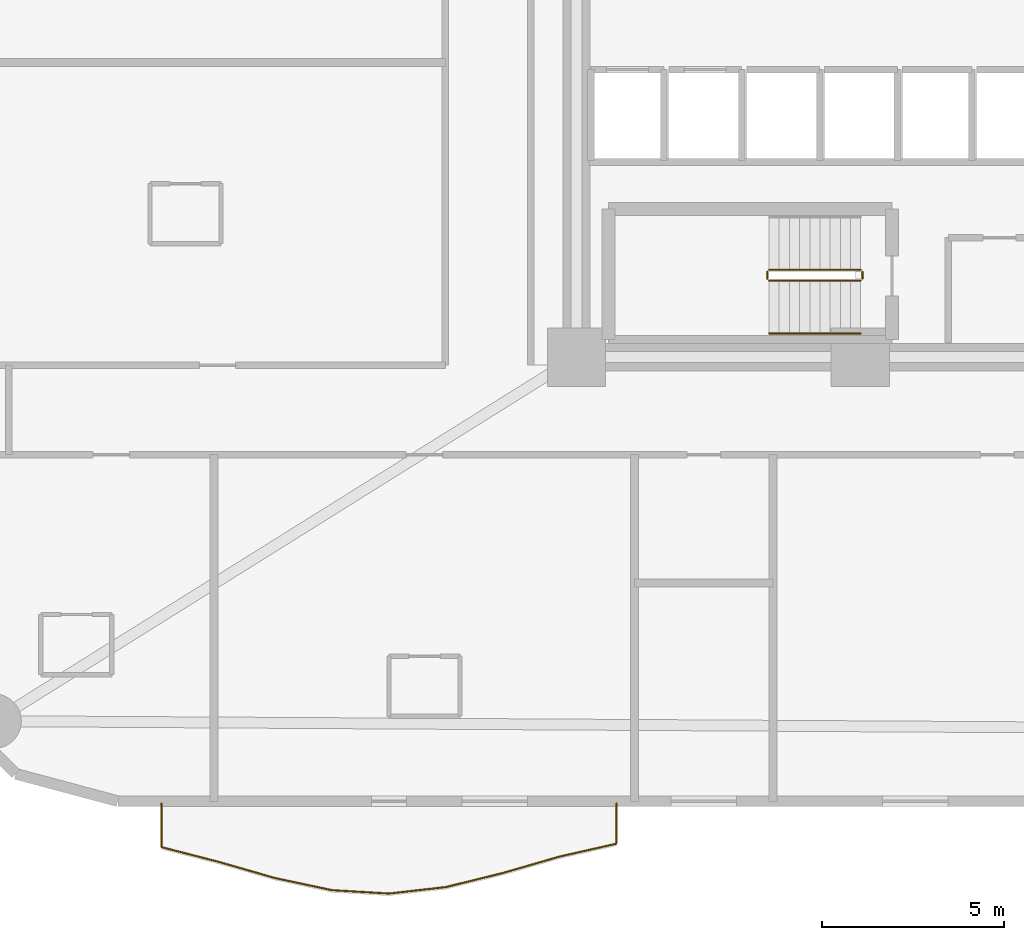
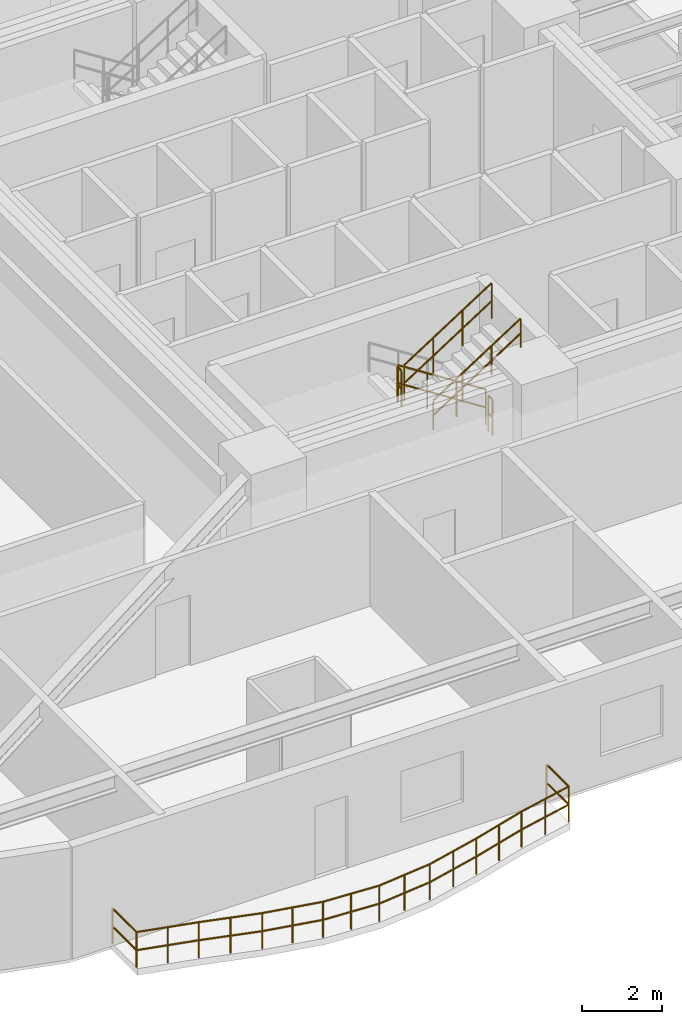
# One storey, part 14 of 16: 6 railings.
"""IFC4 building model written with IfcOpenShell, lengths in metres."""

from ifc_helpers import new_model, si_unit, direction, frame, origin, origin_2d, place, context, subcontext, project, spatial, circle, extrude, material, type_object, element, save


model = new_model("IFC4")

# Units and contexts
model_context = context("Model", 3, precision=1e-05, world=origin(), true_north=direction((0.0, 1.0)))
body_context = subcontext(model_context, "Body", "Model", "MODEL_VIEW")
ifc_project = project(units=[si_unit("LENGTHUNIT", "METRE"), si_unit("AREAUNIT", "SQUARE_METRE"), si_unit("VOLUMEUNIT", "CUBIC_METRE"), si_unit("PLANEANGLEUNIT", "RADIAN"), si_unit("MASSUNIT", "GRAM", prefix="KILO")], contexts=[model_context])

# Site, building, storey
site_placement = place(None, origin())
site = spatial("IfcSite", under=ifc_project, at=site_placement, CompositionType="ELEMENT")
building_placement = place(site_placement, origin())
building = spatial("IfcBuilding", under=site, at=building_placement, Name="An Khanh Terracotta Commons", CompositionType="ELEMENT")
storey_placement = place(building_placement, frame((0.0, 0.0, 28.800048828125)))
storey = spatial("IfcBuildingStorey", under=building, at=storey_placement, Name="L07", CompositionType="ELEMENT", Elevation=28.800048828125)

# Railings
ifc_material_1 = material(Name="Brushed Stainless Steel 316", Category="steel")
railing_type_1 = type_object("IfcRailingType", Name="RAIL-BALUSTRADE-1100", PredefinedType="BALUSTRADE", material=ifc_material_1)
railing_1_placement = place(storey_placement, frame((10.199951171875, 2.139892578125, 0.0)))
element("IfcRailing", 1, at=railing_1_placement, inside=storey, type_object=railing_type_1, Name="L07 S Wave Balcony Guard Balustrade", PredefinedType="BALUSTRADE", context=body_context, shape_type="SweptSolid", body=[
    extrude(circle(Radius=0.02392578125, at=origin_2d()), frame((0.0, 0.0, 1.076171875), z_axis=(0.0, -1.0, 0.0), x_axis=(1.0, 0.0, 0.0)), (0.0, 0.0, 1.0), 1.199951171875),
    extrude(circle(Radius=0.02392578125, at=origin_2d()), frame((0.0, 0.0, 0.52587890625), z_axis=(0.0, -1.0, 0.0), x_axis=(1.0, 0.0, 0.0)), (0.0, 0.0, 1.0), 1.199951171875),
    extrude(circle(Radius=0.02392578125, at=origin_2d()), frame((0.0, -1.199951171875, 1.076171875), z_axis=(0.968463718295, -0.249154623369, 0.0), x_axis=(0.249154623369, 0.968463718295, 0.0)), (0.0, 0.0, 1.0), 1.61279296875),
    extrude(circle(Radius=0.02392578125, at=origin_2d()), frame((0.0, -1.199951171875, 0.52587890625), z_axis=(0.968463718295, -0.249154623369, 0.0), x_axis=(0.249154623369, 0.968463718295, 0.0)), (0.0, 0.0, 1.0), 1.61279296875),
    extrude(circle(Radius=0.02392578125, at=origin_2d()), frame((1.56201171875, -1.601806640625, 1.076171875), z_axis=(0.961132069799, -0.276089015364, 0.0), x_axis=(0.276089015364, 0.961132069799, 0.0)), (0.0, 0.0, 1.0), 1.626220703125),
    extrude(circle(Radius=0.02392578125, at=origin_2d()), frame((1.56201171875, -1.601806640625, 0.52587890625), z_axis=(0.961132069799, -0.276089015364, 0.0), x_axis=(0.276089015364, 0.961132069799, 0.0)), (0.0, 0.0, 1.0), 1.626220703125),
    extrude(circle(Radius=0.02392578125, at=origin_2d()), frame((3.125, -2.05078125, 1.076171875), z_axis=(0.978145638239, -0.207920923414, 0.0), x_axis=(0.207920923414, 0.978145638239, 0.0)), (0.0, 0.0, 1.0), 1.596923828125),
    extrude(circle(Radius=0.02392578125, at=origin_2d()), frame((3.125, -2.05078125, 0.52587890625), z_axis=(0.978145638239, -0.207920923414, 0.0), x_axis=(0.207920923414, 0.978145638239, 0.0)), (0.0, 0.0, 1.0), 1.596923828125),
    extrude(circle(Radius=0.02392578125, at=origin_2d()), frame((4.68701171875, -2.3828125, 1.076171875), z_axis=(0.99823381228, -0.059407541781, 0.0), x_axis=(0.059407541781, 0.99823381228, 0.0)), (0.0, 0.0, 1.0), 1.565673828125),
    extrude(circle(Radius=0.02392578125, at=origin_2d()), frame((4.68701171875, -2.3828125, 0.52587890625), z_axis=(0.99823381228, -0.059407541781, 0.0), x_axis=(0.059407541781, 0.99823381228, 0.0)), (0.0, 0.0, 1.0), 1.565673828125),
    extrude(circle(Radius=0.02392578125, at=origin_2d()), frame((6.25, -2.475830078125, 1.076171875), z_axis=(0.993571157369, 0.113209342564, 0.0), x_axis=(-0.113209342564, 0.993571157369, 0.0)), (0.0, 0.0, 1.0), 1.572021484375),
    extrude(circle(Radius=0.02392578125, at=origin_2d()), frame((6.25, -2.475830078125, 0.52587890625), z_axis=(0.993571157369, 0.113209342564, 0.0), x_axis=(-0.113209342564, 0.993571157369, 0.0)), (0.0, 0.0, 1.0), 1.572021484375),
    extrude(circle(Radius=0.02392578125, at=origin_2d()), frame((7.81201171875, -2.2978515625, 1.076171875), z_axis=(0.9708342931, 0.239751486628, 0.0), x_axis=(-0.239751486628, 0.9708342931, 0.0)), (0.0, 0.0, 1.0), 1.60986328125),
    extrude(circle(Radius=0.02392578125, at=origin_2d()), frame((7.81201171875, -2.2978515625, 0.52587890625), z_axis=(0.9708342931, 0.239751486628, 0.0), x_axis=(-0.239751486628, 0.9708342931, 0.0)), (0.0, 0.0, 1.0), 1.60986328125),
    extrude(circle(Radius=0.02392578125, at=origin_2d()), frame((9.375, -1.911865234375, 1.076171875), z_axis=(0.960606465703, 0.27791224883, 0.0), x_axis=(-0.27791224883, 0.960606465703, 0.0)), (0.0, 0.0, 1.0), 1.6259765625),
    extrude(circle(Radius=0.02392578125, at=origin_2d()), frame((9.375, -1.911865234375, 0.52587890625), z_axis=(0.960606465703, 0.27791224883, 0.0), x_axis=(-0.27791224883, 0.960606465703, 0.0)), (0.0, 0.0, 1.0), 1.6259765625),
    extrude(circle(Radius=0.02392578125, at=origin_2d()), frame((10.93701171875, -1.4599609375, 1.076171875), z_axis=(0.975297200587, 0.220896741776, 0.0), x_axis=(-0.220896741776, 0.975297200587, 0.0)), (0.0, 0.0, 1.0), 1.6025390625),
    extrude(circle(Radius=0.02392578125, at=origin_2d()), frame((10.93701171875, -1.4599609375, 0.52587890625), z_axis=(0.975297200587, 0.220896741776, 0.0), x_axis=(-0.220896741776, 0.975297200587, 0.0)), (0.0, 0.0, 1.0), 1.6025390625),
    extrude(circle(Radius=0.02392578125, at=origin_2d()), frame((12.5, -1.10595703125, 1.076171875), z_axis=(0.0, 1.0, 0.0), x_axis=(-1.0, 0.0, 0.0)), (0.0, 0.0, 1.0), 1.10595703125),
    extrude(circle(Radius=0.02392578125, at=origin_2d()), frame((12.5, -1.10595703125, 0.52587890625), z_axis=(0.0, 1.0, 0.0), x_axis=(-1.0, 0.0, 0.0)), (0.0, 0.0, 1.0), 1.10595703125),
    extrude(circle(Radius=0.02099609375, at=origin_2d()), origin(), (0.0, 0.0, 1.0), 1.052001953125),
    extrude(circle(Radius=0.02099609375, at=origin_2d()), frame((0.0, -1.199951171875, 0.0)), (0.0, 0.0, 1.0), 1.052001953125),
    extrude(circle(Radius=0.02099609375, at=origin_2d()), frame((0.781005859375, -1.40087890625, 0.0)), (0.0, 0.0, 1.0), 1.052001953125),
    extrude(circle(Radius=0.02099609375, at=origin_2d()), frame((1.56201171875, -1.601806640625, 0.0)), (0.0, 0.0, 1.0), 1.052001953125),
    extrude(circle(Radius=0.02099609375, at=origin_2d()), frame((2.343505859375, -1.826171875, 0.0)), (0.0, 0.0, 1.0), 1.052001953125),
    extrude(circle(Radius=0.02099609375, at=origin_2d()), frame((3.125, -2.05078125, 0.0)), (0.0, 0.0, 1.0), 1.052001953125),
    extrude(circle(Radius=0.02099609375, at=origin_2d()), frame((3.906005859375, -2.216796875, 0.0)), (0.0, 0.0, 1.0), 1.052001953125),
    extrude(circle(Radius=0.02099609375, at=origin_2d()), frame((4.68701171875, -2.3828125, 0.0)), (0.0, 0.0, 1.0), 1.052001953125),
    extrude(circle(Radius=0.02099609375, at=origin_2d()), frame((5.468505859375, -2.42919921875, 0.0)), (0.0, 0.0, 1.0), 1.052001953125),
    extrude(circle(Radius=0.02099609375, at=origin_2d()), frame((6.25, -2.475830078125, 0.0)), (0.0, 0.0, 1.0), 1.052001953125),
    extrude(circle(Radius=0.02099609375, at=origin_2d()), frame((7.031005859375, -2.38671875, 0.0)), (0.0, 0.0, 1.0), 1.052001953125),
    extrude(circle(Radius=0.02099609375, at=origin_2d()), frame((7.81201171875, -2.2978515625, 0.0)), (0.0, 0.0, 1.0), 1.052001953125),
    extrude(circle(Radius=0.02099609375, at=origin_2d()), frame((8.593505859375, -2.10498046875, 0.0)), (0.0, 0.0, 1.0), 1.052001953125),
    extrude(circle(Radius=0.02099609375, at=origin_2d()), frame((9.375, -1.911865234375, 0.0)), (0.0, 0.0, 1.0), 1.052001953125),
    extrude(circle(Radius=0.02099609375, at=origin_2d()), frame((10.156005859375, -1.68603515625, 0.0)), (0.0, 0.0, 1.0), 1.052001953125),
    extrude(circle(Radius=0.02099609375, at=origin_2d()), frame((10.93701171875, -1.4599609375, 0.0)), (0.0, 0.0, 1.0), 1.052001953125),
    extrude(circle(Radius=0.02099609375, at=origin_2d()), frame((11.718505859375, -1.282958984375, 0.0)), (0.0, 0.0, 1.0), 1.052001953125),
    extrude(circle(Radius=0.02099609375, at=origin_2d()), frame((12.5, -1.10595703125, 0.0)), (0.0, 0.0, 1.0), 1.052001953125),
    extrude(circle(Radius=0.02099609375, at=origin_2d()), frame((12.5, 0.0, 0.0)), (0.0, 0.0, 1.0), 1.052001953125),
])
railing_type_2 = type_object("IfcRailingType", Name="RAIL-HANDRAIL-900", PredefinedType="HANDRAIL", material=ifc_material_1)
railing_2_placement = place(storey_placement, frame((26.889892578125, 15.050048828125, 1.97998046875)))
element("IfcRailing", 2, at=railing_2_placement, inside=storey, type_object=railing_type_2, Name="L07 ST-02 stair handrail 2", PredefinedType="HANDRAIL", context=body_context, shape_type="SweptSolid", body=[
    extrude(circle(Radius=0.02392578125, at=origin_2d()), frame((0.0, 0.0, 0.8759765625), z_axis=(0.841199657755, 0.0, 0.540724639528), x_axis=(0.0, 1.0, 0.0)), (0.0, 0.0, 1.0), 2.995849609375),
    extrude(circle(Radius=0.02392578125, at=origin_2d()), frame((0.0, 0.0, 0.42578125), z_axis=(0.841199657755, 0.0, 0.540724639528), x_axis=(0.0, 1.0, 0.0)), (0.0, 0.0, 1.0), 2.995849609375),
    extrude(circle(Radius=0.02099609375, at=origin_2d()), origin(), (0.0, 0.0, 1.0), 0.851806640625),
    extrude(circle(Radius=0.02099609375, at=origin_2d()), frame((0.840087890625, 0.0, 0.5400390625)), (0.0, 0.0, 1.0), 0.851806640625),
    extrude(circle(Radius=0.02099609375, at=origin_2d()), frame((1.679931640625, 0.0, 1.079833984375)), (0.0, 0.0, 1.0), 0.851806640625),
    extrude(circle(Radius=0.02099609375, at=origin_2d()), frame((2.52001953125, 0.0, 1.619873046875)), (0.0, 0.0, 1.0), 0.851806640625),
])
ifc_material_2 = material(Name="Powder-Coated Steel S355J2", Category="steel")
railing_type_3 = type_object("IfcRailingType", Name="RAIL-STAIR-GUARD-1100", PredefinedType="BALUSTRADE", material=ifc_material_2)
railing_3_placement = place(storey_placement, frame((29.409912109375, 16.800048828125, 0.179931640625)))
element("IfcRailing", 3, at=railing_3_placement, inside=storey, type_object=railing_type_3, Name="L07 ST-02 stair guard 1", PredefinedType="BALUSTRADE", context=body_context, shape_type="SweptSolid", body=[
    extrude(circle(Radius=0.02392578125, at=origin_2d()), frame((0.0, 0.0, 1.076171875), z_axis=(-0.841162588446, 0.0, 0.540782303519), x_axis=(0.0, -1.0, 0.0)), (0.0, 0.0, 1.0), 2.995849609375),
    extrude(circle(Radius=0.02392578125, at=origin_2d()), frame((0.0, 0.0, 0.52587890625), z_axis=(-0.841162588446, 0.0, 0.540782303519), x_axis=(0.0, -1.0, 0.0)), (0.0, 0.0, 1.0), 2.995849609375),
    extrude(circle(Radius=0.02099609375, at=origin_2d()), origin(), (0.0, 0.0, 1.0), 1.052001953125),
    extrude(circle(Radius=0.02099609375, at=origin_2d()), frame((-0.840087890625, 0.0, 0.5400390625)), (0.0, 0.0, 1.0), 1.052001953125),
    extrude(circle(Radius=0.02099609375, at=origin_2d()), frame((-1.679931640625, 0.0, 1.080078125)), (0.0, 0.0, 1.0), 1.052001953125),
    extrude(circle(Radius=0.02099609375, at=origin_2d()), frame((-2.52001953125, 0.0, 1.6201171875)), (0.0, 0.0, 1.0), 1.052001953125),
])
railing_4_placement = place(storey_placement, frame((26.840087890625, 16.75, 1.800048828125)))
element("IfcRailing", 4, at=railing_4_placement, inside=storey, type_object=railing_type_3, Name="L07 ST-02 stair guard 2", PredefinedType="BALUSTRADE", context=body_context, shape_type="SweptSolid", body=[
    extrude(circle(Radius=0.02392578125, at=origin_2d()), frame((0.0, 0.0, 1.076171875), z_axis=(0.0, -1.0, 0.0), x_axis=(1.0, 0.0, 0.0)), (0.0, 0.0, 1.0), 0.199951171875),
    extrude(circle(Radius=0.02392578125, at=origin_2d()), frame((0.0, 0.0, 0.52587890625), z_axis=(0.0, -1.0, 0.0), x_axis=(1.0, 0.0, 0.0)), (0.0, 0.0, 1.0), 0.199951171875),
    extrude(circle(Radius=0.02099609375, at=origin_2d()), origin(), (0.0, 0.0, 1.0), 1.052001953125),
    extrude(circle(Radius=0.02099609375, at=origin_2d()), frame((0.0, -0.199951171875, 0.0)), (0.0, 0.0, 1.0), 1.052001953125),
])
railing_5_placement = place(storey_placement, frame((26.889892578125, 16.5, 1.97998046875)))
element("IfcRailing", 5, at=railing_5_placement, inside=storey, type_object=railing_type_3, Name="L07 ST-02 stair guard 3", PredefinedType="BALUSTRADE", context=body_context, shape_type="SweptSolid", body=[
    extrude(circle(Radius=0.02392578125, at=origin_2d()), frame((0.0, 0.0, 1.076171875), z_axis=(0.841199657755, 0.0, 0.540724639528), x_axis=(0.0, 1.0, 0.0)), (0.0, 0.0, 1.0), 2.995849609375),
    extrude(circle(Radius=0.02392578125, at=origin_2d()), frame((0.0, 0.0, 0.52587890625), z_axis=(0.841199657755, 0.0, 0.540724639528), x_axis=(0.0, 1.0, 0.0)), (0.0, 0.0, 1.0), 2.995849609375),
    extrude(circle(Radius=0.02099609375, at=origin_2d()), origin(), (0.0, 0.0, 1.0), 1.052001953125),
    extrude(circle(Radius=0.02099609375, at=origin_2d()), frame((0.840087890625, 0.0, 0.5400390625)), (0.0, 0.0, 1.0), 1.052001953125),
    extrude(circle(Radius=0.02099609375, at=origin_2d()), frame((1.679931640625, 0.0, 1.079833984375)), (0.0, 0.0, 1.0), 1.052001953125),
    extrude(circle(Radius=0.02099609375, at=origin_2d()), frame((2.52001953125, 0.0, 1.619873046875)), (0.0, 0.0, 1.0), 1.052001953125),
])
railing_6_placement = place(storey_placement, frame((29.4599609375, 16.75, 0.0)))
element("IfcRailing", 6, at=railing_6_placement, inside=storey, type_object=railing_type_3, Name="L07 ST-02 stair guard 4", PredefinedType="BALUSTRADE", context=body_context, shape_type="SweptSolid", body=[
    extrude(circle(Radius=0.02392578125, at=origin_2d()), frame((0.0, 0.0, 1.076171875), z_axis=(0.0, -1.0, 0.0), x_axis=(1.0, 0.0, 0.0)), (0.0, 0.0, 1.0), 0.199951171875),
    extrude(circle(Radius=0.02392578125, at=origin_2d()), frame((0.0, 0.0, 0.52587890625), z_axis=(0.0, -1.0, 0.0), x_axis=(1.0, 0.0, 0.0)), (0.0, 0.0, 1.0), 0.199951171875),
    extrude(circle(Radius=0.02099609375, at=origin_2d()), origin(), (0.0, 0.0, 1.0), 1.052001953125),
    extrude(circle(Radius=0.02099609375, at=origin_2d()), frame((0.0, -0.199951171875, 0.0)), (0.0, 0.0, 1.0), 1.052001953125),
])

save(model, "model.ifc")
